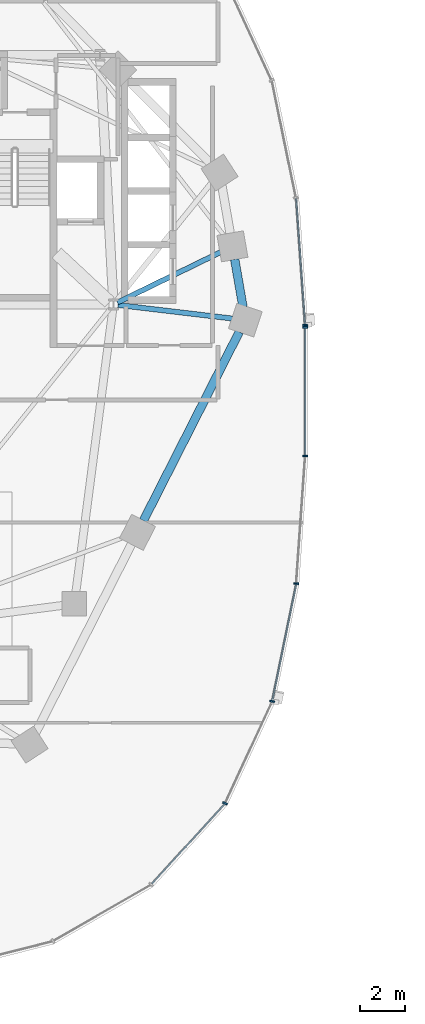
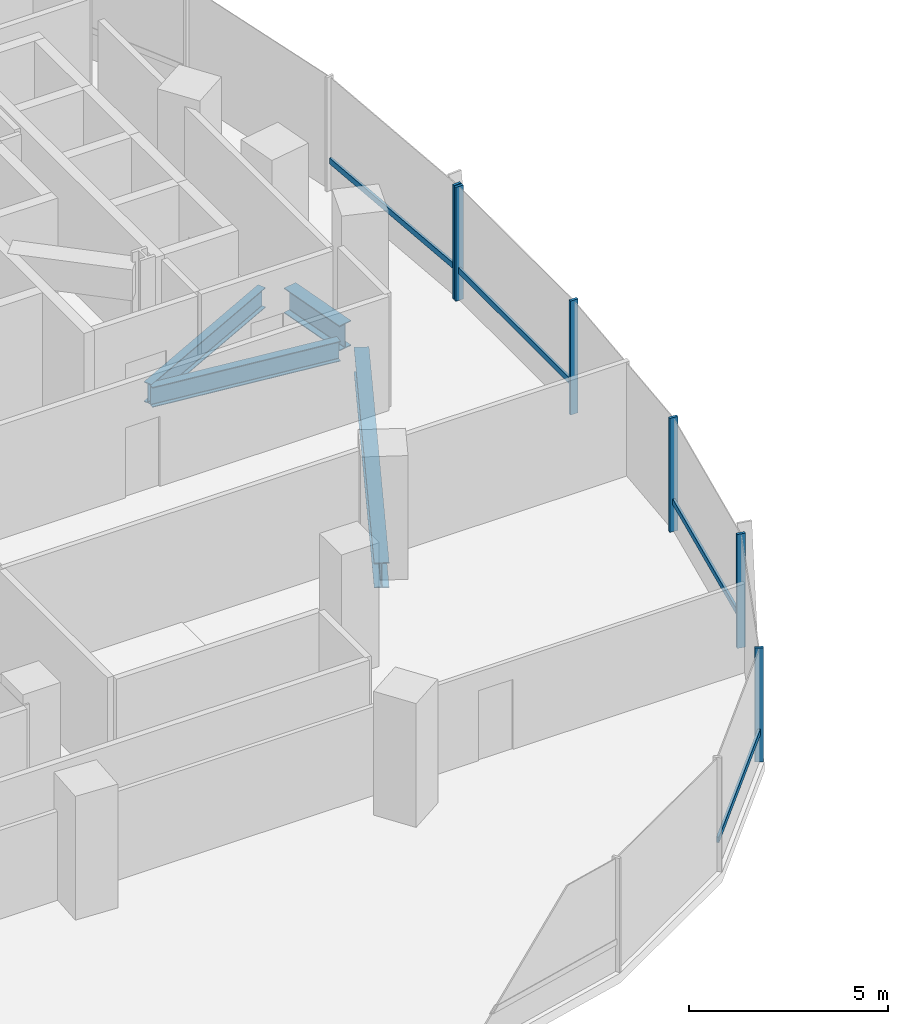
# One storey, part 3 of 21: 10 members, 4 beams, 2 elements without a shape of their own.
"""IFC4 building model written with IfcOpenShell, lengths in metres."""

from ifc_helpers import new_model, si_unit, direction, frame, origin, origin_2d, place, context, subcontext, project, spatial, rectangle, i_section, extrude, material, material_profile, profile_set, type_object, element, aggregate, save


model = new_model("IFC4")

# Units and contexts
model_context = context("Model", 3, precision=1e-05, world=origin(), true_north=direction((0.0, 1.0)))
body_context = subcontext(model_context, "Body", "Model", "MODEL_VIEW")
ifc_project = project(units=[si_unit("LENGTHUNIT", "METRE"), si_unit("AREAUNIT", "SQUARE_METRE"), si_unit("VOLUMEUNIT", "CUBIC_METRE"), si_unit("PLANEANGLEUNIT", "RADIAN"), si_unit("MASSUNIT", "GRAM", prefix="KILO"), si_unit("THERMODYNAMICTEMPERATUREUNIT", "KELVIN"), si_unit("POWERUNIT", "WATT")], contexts=[model_context])

# Site, building, storey
site_placement = place(None, origin())
site = spatial("IfcSite", under=ifc_project, at=site_placement, CompositionType="ELEMENT")
building_placement = place(site_placement, origin())
building = spatial("IfcBuilding", under=site, at=building_placement, Name="Cundina Bronze Exchange", CompositionType="ELEMENT")
storey_placement = place(building_placement, frame((0.0, 0.0, 58.199951171875)))
storey = spatial("IfcBuildingStorey", under=building, at=storey_placement, Name="L14", CompositionType="ELEMENT", Elevation=58.199951171875)

# Beams
ifc_material_1 = material(Name="Steel ASTM A992 Grade 50", Category="steel")
ifc_material_profile_1 = material_profile(ifc_material_1, i_section(OverallWidth=0.22998046875, OverallDepth=0.616943359375, WebThickness=0.01318359375, FlangeThickness=0.022216796875, FilletRadius=0.013916015625, at=origin_2d()), Name="W24X94", Category="steel")
ifc_profile_set_1 = profile_set([ifc_material_profile_1], Name="Steel ASTM A992 Grade 50")
beam_type_1 = type_object("IfcBeamType", Name="BM-FLR-W24B", PredefinedType="BEAM", material=ifc_profile_set_1)
beam_1_placement = place(storey_placement, frame((-21.247314453125, 3.8759765625, -0.6083984375), z_axis=(0.993035236117, -0.117817739878, 0.0), x_axis=(0.117817739878, 0.993035236117, 0.0)))
element("IfcBeam", 1, at=beam_1_placement, inside=storey, type_object=beam_type_1, Name="L14 Leg W Radial Floor Beam 00", PredefinedType="BEAM", context=body_context, shape_type="SweptSolid", body=[
    extrude(i_section(OverallWidth=0.22998046875, OverallDepth=0.616943359375, WebThickness=0.01318359375, FlangeThickness=0.022216796875, FilletRadius=0.013916015625, at=origin_2d()), origin(), (0.0, 0.0, 1.0), 5.1494140625),
])
beam_2_placement = place(storey_placement, frame((-21.2666015625, 3.989501953125, -0.6083984375), z_axis=(0.898610249448, 0.438747785849, 0.0), x_axis=(-0.438747785849, 0.898610249448, 0.0)))
element("IfcBeam", 2, at=beam_2_placement, inside=storey, type_object=beam_type_1, Name="L14 Leg W Radial Floor Beam 01", PredefinedType="BEAM", context=body_context, shape_type="SweptSolid", body=[
    extrude(i_section(OverallWidth=0.22998046875, OverallDepth=0.616943359375, WebThickness=0.01318359375, FlangeThickness=0.022216796875, FilletRadius=0.013916015625, at=origin_2d()), origin(), (0.0, 0.0, 1.0), 5.1337890625),
])
ifc_material_profile_2 = material_profile(ifc_material_1, i_section(OverallWidth=0.381103515625, OverallDepth=0.77294921875, WebThickness=0.0166015625, FlangeThickness=0.027099609375, FilletRadius=0.01904296875, at=origin_2d()), Name="W30X173", Category="steel")
ifc_profile_set_2 = profile_set([ifc_material_profile_2], Name="Steel ASTM A992 Grade 50")
beam_type_2 = type_object("IfcBeamType", Name="BM-RING-W30", PredefinedType="USERDEFINED", material=ifc_profile_set_2)
beam_3_placement = place(storey_placement, frame((-15.65087890625, 3.779296875, -0.6865234375), z_axis=(-0.171734584051, 0.985143254883, 0.0), x_axis=(-0.985143254883, -0.171734584051, 0.0)))
element("IfcBeam", 3, at=beam_3_placement, inside=storey, type_object=beam_type_2, Name="L14 W Perimeter Ring Girder 00", ObjectType="GIRDER", PredefinedType="USERDEFINED", context=body_context, shape_type="SweptSolid", body=[
    extrude(i_section(OverallWidth=0.381103515625, OverallDepth=0.77294921875, WebThickness=0.0166015625, FlangeThickness=0.027099609375, FilletRadius=0.01904296875, at=origin_2d()), origin(), (0.0, 0.0, 1.0), 2.173583984375),
])
beam_4_placement = place(storey_placement, frame((-20.108642578125, -5.775634765625, -0.6865234375), z_axis=(0.452819633606, 0.891602141889, 0.0), x_axis=(-0.891602141889, 0.452819633606, 0.0)))
element("IfcBeam", 4, at=beam_4_placement, inside=storey, type_object=beam_type_2, Name="L14 W Perimeter Ring Girder 13", ObjectType="GIRDER", PredefinedType="USERDEFINED", context=body_context, shape_type="SweptSolid", body=[
    extrude(i_section(OverallWidth=0.381103515625, OverallDepth=0.77294921875, WebThickness=0.0166015625, FlangeThickness=0.027099609375, FilletRadius=0.01904296875, at=origin_2d()), origin(), (0.0, 0.0, 1.0), 9.47900390625),
])

# Curtain wall, member
ifc_material_2 = material(Name="Anodised Bronze Aluminium 6063-T6", Category="aluminium")
curtain_wall_type = type_object("IfcCurtainWallType", Name="CWS-TRD-LOW", PredefinedType="NOTDEFINED", material=ifc_material_2)
curtain_wall_1_placement = place(storey_placement, origin())
curtain_wall_1 = element("IfcCurtainWall", 5, at=curtain_wall_1_placement, inside=storey, type_object=curtain_wall_type, Name="L14 CW-02 Curtain Wall Run CWR-L14-W1", PredefinedType="NOTDEFINED")
ifc_material_profile_3 = material_profile(ifc_material_2, rectangle(XDim=0.074951171875, YDim=0.219970703125, at=origin_2d()), Name="AL75X220", Category="aluminium")
ifc_profile_set_3 = profile_set([ifc_material_profile_3], Name="Anodised Bronze Aluminium 6063-T6")
member_type_1 = type_object("IfcMemberType", Name="CWM-MUL-220", PredefinedType="MULLION", material=ifc_profile_set_3)
member_1_placement = place(storey_placement, frame((-12.87548828125, 2.976318359375, 0.0), z_axis=(0.0, 0.0, 1.0), x_axis=(-0.070278787473, 0.997527389113, 0.0)))
member_1 = element("IfcMember", 6, at=member_1_placement, type_object=member_type_1, Name="CW-02 Mullion 1", PredefinedType="MULLION", context=body_context, shape_type="SweptSolid", body=[
    extrude(rectangle(XDim=0.074951171875, YDim=0.219970703125, at=origin_2d()), origin(), (0.0, 0.0, 1.0), 3.5),
])

# Curtain wall, members
curtain_wall_2_placement = place(storey_placement, origin())
curtain_wall_2 = element("IfcCurtainWall", 7, at=curtain_wall_2_placement, inside=storey, type_object=curtain_wall_type, Name="L14 CW-02 Curtain Wall Run CWR-L14-W4", PredefinedType="NOTDEFINED")
member_2_placement = place(storey_placement, frame((-16.455810546875, -18.423583984375, 0.0), z_axis=(0.0, 0.0, 1.0), x_axis=(0.42087749791, 0.907117485088, 0.0)))
member_2 = element("IfcMember", 8, at=member_2_placement, type_object=member_type_1, Name="CW-02 Mullion 4", PredefinedType="MULLION", context=body_context, shape_type="SweptSolid", body=[
    extrude(rectangle(XDim=0.074951171875, YDim=0.219970703125, at=origin_2d()), origin(), (0.0, 0.0, 1.0), 3.5),
])
member_3_placement = place(storey_placement, frame((-14.348876953125, -13.861328125, 0.0), z_axis=(0.0, 0.0, 1.0), x_axis=(0.201419845156, 0.979505000486, 0.0)))
member_3 = element("IfcMember", 9, at=member_3_placement, type_object=member_type_1, Name="CW-02 Mullion 5", PredefinedType="MULLION", context=body_context, shape_type="SweptSolid", body=[
    extrude(rectangle(XDim=0.074951171875, YDim=0.219970703125, at=origin_2d()), origin(), (0.0, 0.0, 1.0), 3.5),
])
member_4_placement = place(storey_placement, frame((-13.27099609375, -8.591552734375, 0.0), z_axis=(0.0, 0.0, 1.0), x_axis=(0.070278787473, 0.997527389113, 0.0)))
member_4 = element("IfcMember", 10, at=member_4_placement, type_object=member_type_1, Name="CW-02 Mullion 6", PredefinedType="MULLION", context=body_context, shape_type="SweptSolid", body=[
    extrude(rectangle(XDim=0.074951171875, YDim=0.219970703125, at=origin_2d()), origin(), (0.0, 0.0, 1.0), 3.5),
])
member_5_placement = place(storey_placement, frame((-12.8720703125, -2.880615234375, 0.0), z_axis=(0.0, 0.0, 1.0), x_axis=(0.0, 1.0, 0.0)))
member_5 = element("IfcMember", 11, at=member_5_placement, type_object=member_type_1, Name="CW-02 Mullion 7", PredefinedType="MULLION", context=body_context, shape_type="SweptSolid", body=[
    extrude(rectangle(XDim=0.074951171875, YDim=0.219970703125, at=origin_2d()), origin(), (0.0, 0.0, 1.0), 3.5),
])
member_6_placement = place(storey_placement, frame((-12.8720703125, 2.880615234375, 0.0), z_axis=(0.0, 0.0, 1.0), x_axis=(0.0, 1.0, 0.0)))
member_6 = element("IfcMember", 12, at=member_6_placement, type_object=member_type_1, Name="CW-02 End Mullion", PredefinedType="MULLION", context=body_context, shape_type="SweptSolid", body=[
    extrude(rectangle(XDim=0.074951171875, YDim=0.219970703125, at=origin_2d()), origin(), (0.0, 0.0, 1.0), 3.5),
])

# Member
ifc_material_profile_4 = material_profile(ifc_material_2, rectangle(XDim=0.070068359375, YDim=0.179931640625, at=origin_2d()), Name="AL70X180", Category="aluminium")
ifc_profile_set_4 = profile_set([ifc_material_profile_4], Name="Anodised Bronze Aluminium 6063-T6")
member_type_2 = type_object("IfcMemberType", Name="CWM-TRN-180", PredefinedType="USERDEFINED", material=ifc_profile_set_4)
member_7_placement = place(storey_placement, frame((-12.87841796875, 3.017333984375, 0.920166015625), z_axis=(-0.070260714471, 0.997528662246, 0.0), x_axis=(-0.997528662246, -0.070260714471, 0.0)))
member_7 = element("IfcMember", 13, at=member_7_placement, type_object=member_type_2, Name="CW-02 Spandrel Transom 1", ObjectType="TRANSOM", PredefinedType="USERDEFINED", context=body_context, shape_type="SweptSolid", body=[
    extrude(rectangle(XDim=0.070068359375, YDim=0.179931640625, at=origin_2d()), origin(), (0.0, 0.0, 1.0), 5.629150390625),
])

aggregate(curtain_wall_1, [member_1, member_7])

member_8_placement = place(storey_placement, frame((-19.73291015625, -22.027099609375, 0.920166015625), z_axis=(0.674302794847, 0.738454968743, 0.0), x_axis=(-0.738454968743, 0.674302794847, 0.0)))
member_8 = element("IfcMember", 14, at=member_8_placement, type_object=member_type_2, Name="CW-02 Spandrel Transom 3", ObjectType="TRANSOM", PredefinedType="USERDEFINED", context=body_context, shape_type="SweptSolid", body=[
    extrude(rectangle(XDim=0.070068359375, YDim=0.179931640625, at=origin_2d()), origin(), (0.0, 0.0, 1.0), 4.848388671875),
])

member_9_placement = place(storey_placement, frame((-14.340576171875, -13.821044921875, 0.920166015625), z_axis=(0.201427712708, 0.979503382615, 0.0), x_axis=(-0.979503382615, 0.201427712708, 0.0)))
member_9 = element("IfcMember", 15, at=member_9_placement, type_object=member_type_2, Name="CW-02 Spandrel Transom 5", ObjectType="TRANSOM", PredefinedType="USERDEFINED", context=body_context, shape_type="SweptSolid", body=[
    extrude(rectangle(XDim=0.070068359375, YDim=0.179931640625, at=origin_2d()), origin(), (0.0, 0.0, 1.0), 5.291748046875),
])

member_10_placement = place(storey_placement, frame((-12.8720703125, -2.839111328125, 0.920166015625), z_axis=(0.0, 1.0, 0.0), x_axis=(-1.0, 0.0, 0.0)))
member_10 = element("IfcMember", 16, at=member_10_placement, type_object=member_type_2, Name="CW-02 Spandrel Transom 7", ObjectType="TRANSOM", PredefinedType="USERDEFINED", context=body_context, shape_type="SweptSolid", body=[
    extrude(rectangle(XDim=0.070068359375, YDim=0.179931640625, at=origin_2d()), origin(), (0.0, 0.0, 1.0), 5.67822265625),
])

aggregate(curtain_wall_2, [member_8, member_2, member_3, member_9, member_4, member_5, member_6, member_10])

save(model, "model.ifc")
